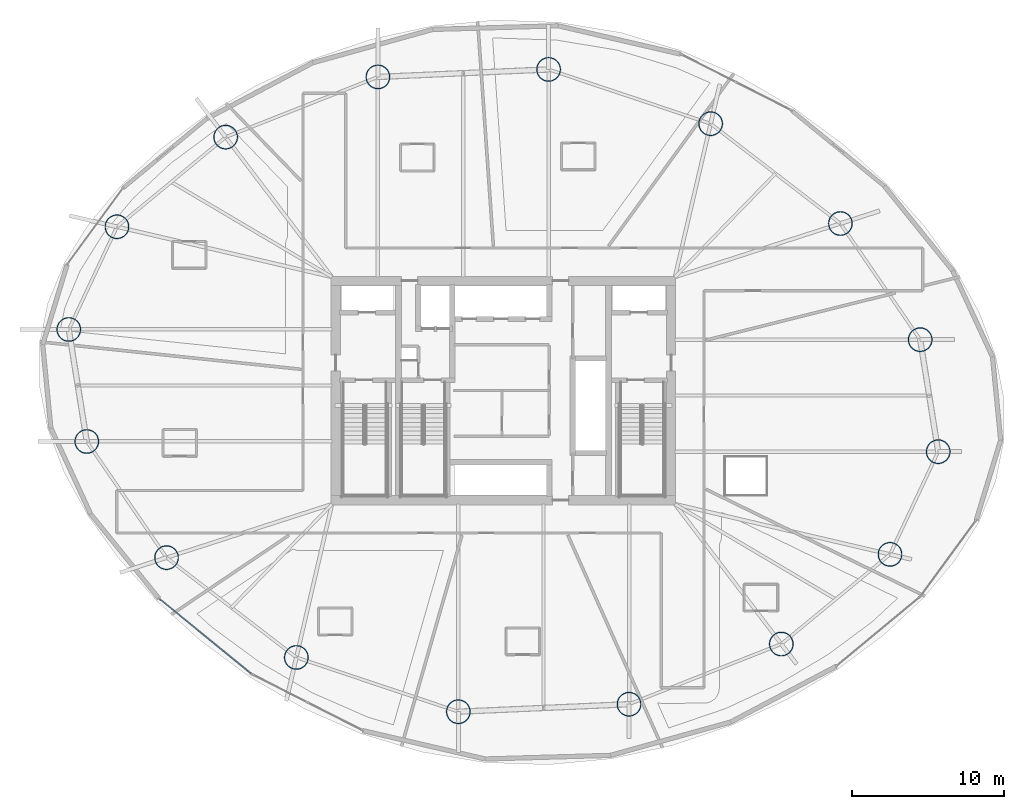
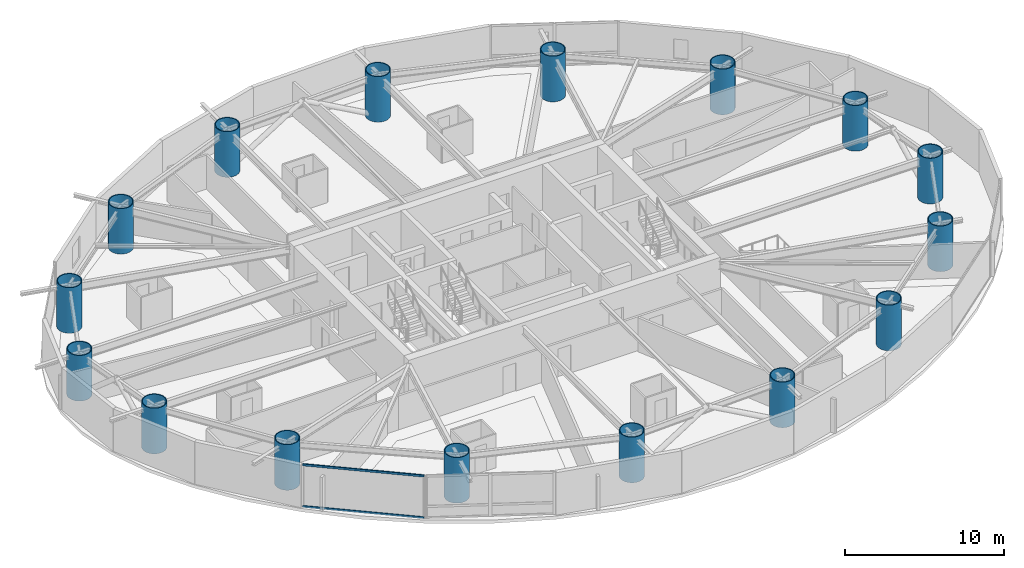
# One storey, part 1 of 20: 16 columns, 2 members, 1 element without a shape of its own.
"""IFC4 building model written with IfcOpenShell, lengths in metres."""

from ifc_helpers import new_model, si_unit, direction, frame, origin, origin_2d, place, context, subcontext, project, spatial, hollow_rectangle, hollow_circle, extrude, material, layer, layer_set, material_profile, profile_set, type_object, element, aggregate, save


model = new_model("IFC4")

# Units and contexts
model_context = context("Model", 3, precision=1e-05, world=origin(), true_north=direction((0.0, 1.0)))
body_context = subcontext(model_context, "Body", "Model", "MODEL_VIEW")
ifc_project = project(units=[si_unit("LENGTHUNIT", "METRE"), si_unit("AREAUNIT", "SQUARE_METRE"), si_unit("VOLUMEUNIT", "CUBIC_METRE"), si_unit("PLANEANGLEUNIT", "RADIAN"), si_unit("MASSUNIT", "GRAM", prefix="KILO")], contexts=[model_context])

# Site, building, storey
site_placement = place(None, origin())
site = spatial("IfcSite", under=ifc_project, at=site_placement, CompositionType="ELEMENT")
building_placement = place(site_placement, origin())
building = spatial("IfcBuilding", under=site, at=building_placement, Name="Bramvorn Convention Spire", CompositionType="ELEMENT")
storey_placement = place(building_placement, frame((0.0, 0.0, 58.89990234375)))
storey = spatial("IfcBuildingStorey", under=building, at=storey_placement, Name="L12", CompositionType="ELEMENT", Elevation=58.89990234375)

# Columns
ifc_material_1 = material(Name="Steel CSA G40.21 Grade 350 (350W)", Category="steel")
ifc_material_profile_1 = material_profile(ifc_material_1, hollow_circle(Radius=0.800048828125, WallThickness=0.06005859375, at=origin_2d()))
ifc_profile_set_1 = profile_set([ifc_material_profile_1], Name="Steel CSA G40.21 Grade 350 (350W) - CFT1600X60")
column_type = type_object("IfcColumnType", Name="COL-CFT1600X60", PredefinedType="COLUMN", material=ifc_profile_set_1)
for number, where, z_axis, x_axis, name in (
    (1, (66.519775390625, 21.99169921875, 0.0), (0.0, 0.0, 1.0), (1.0, 0.0, 0.0), "L12 composite CFT mega-column MC01"),
    (2, (65.338623046875, 29.340087890625, 0.0), (0.0, 0.0, 1.0), (1.0, 0.0, 0.0), "L12 composite CFT mega-column MC02"),
    (3, (60.105224609375, 36.960205078125, 0.0), (0.0, 0.0, 1.0), (1.0, 0.0, 0.0), "L12 composite CFT mega-column MC03"),
    (4, (51.59033203125, 43.509033203125, 0.0), (0.0, 0.0, 1.0), (1.0, 0.0, 0.0), "L12 composite CFT mega-column MC04"),
    (5, (40.9609375, 47.06884765625, 0.0), (0.0, 0.0, 1.0), (1.0, 0.0, 0.0), "L12 composite CFT mega-column MC05"),
    (6, (29.76220703125, 46.57666015625, 0.0), (0.0, 0.0, 1.0), (1.0, 0.0, 0.0), "L12 composite CFT mega-column MC06"),
    (7, (19.772216796875, 42.628662109375, 0.0), (0.0, 0.0, 1.0), (1.0, 0.0, 0.0), "L12 composite CFT mega-column MC07"),
    (8, (12.64111328125, 36.746337890625, 0.0), (0.0, 0.0, 1.0), (1.0, 0.0, 0.0), "L12 composite CFT mega-column MC08"),
    (9, (9.480224609375, 30.00830078125, 0.0), (0.0, 0.0, 1.0), (1.0, 0.0, 0.0), "L12 composite CFT mega-column MC09"),
    (10, (10.661376953125, 22.659912109375, 0.0), (0.0, 0.0, 1.0), (1.0, 0.0, 0.0), "L12 composite CFT mega-column MC10"),
    (11, (15.894775390625, 15.039794921875, 0.0), (0.0, 0.0, 1.0), (1.0, 0.0, 0.0), "L12 composite CFT mega-column MC11"),
    (12, (24.40966796875, 8.490966796875, 0.0), (0.0, 0.0, 1.0), (1.0, 0.0, 0.0), "L12 composite CFT mega-column MC12"),
    (13, (35.0390625, 4.93115234375, 0.0), (0.0, 0.0, 1.0), (1.0, 0.0, 0.0), "L12 composite CFT mega-column MC13"),
    (14, (46.23779296875, 5.42333984375, 0.0), (0.0, 0.0, 1.0), (1.0, 0.0, 0.0), "L12 composite CFT mega-column MC14"),
    (15, (56.227783203125, 9.371337890625, 0.0), (0.0, 0.0, 1.0), (1.0, 0.0, 0.0), "L12 composite CFT mega-column MC15"),
    (16, (63.35888671875, 15.253662109375, 0.0), (0.0, 0.0, 1.0), (1.0, 0.0, 0.0), "L12 composite CFT mega-column MC16"),
):
    element("IfcColumn", number, at=place(storey_placement, frame(where, z_axis=z_axis, x_axis=x_axis)), inside=storey, type_object=column_type, Name=name, PredefinedType="COLUMN", context=body_context, shape_type="SweptSolid", body=[
        extrude(hollow_circle(Radius=0.800048828125, WallThickness=0.06005859375, at=origin_2d()), origin(), (0.0, 0.0, 1.0), 3.5),
    ])

# Curtain wall, members
ifc_material_2 = material(Name="Anodised Bronze Unitised Curtain Wall", Category="aluminium")
ifc_layer = layer(ifc_material_2, 0.179931640625)
ifc_layer_set = layer_set([ifc_layer], Name="Anodised Bronze Unitised Curtain Wall - CW-HTL-FRIT")
curtain_wall_type = type_object("IfcCurtainWallType", Name="CW-HTL-FRIT", PredefinedType="USERDEFINED", material=ifc_layer_set)
curtain_wall_placement = place(storey_placement, origin())
curtain_wall = element("IfcCurtainWall", 17, at=curtain_wall_placement, inside=storey, type_object=curtain_wall_type, Name="L12 fritted glass curtain wall 16", ObjectType="UNITISED CURTAIN WALL", PredefinedType="USERDEFINED")
ifc_material_3 = material(Name="Anodised Bronze Aluminium 6063-T6", Category="aluminium")
ifc_material_profile_2 = material_profile(ifc_material_3, hollow_rectangle(XDim=0.080078125, YDim=0.159912109375, WallThickness=0.00390625, InnerFilletRadius=0.0009765625, OuterFilletRadius=0.00390625, at=origin_2d()))
ifc_profile_set_2 = profile_set([ifc_material_profile_2], Name="Anodised Bronze Aluminium 6063-T6 - CWT80X160")
member_type = type_object("IfcMemberType", Name="CW-TRN-150", PredefinedType="USERDEFINED", material=ifc_profile_set_2)
member_1_placement = place(storey_placement, frame((21.43359375, 7.4296875, 0.030029296875), z_axis=(-0.774745239448, 0.632273527796, 0.0), x_axis=(-0.632273527796, -0.774745239448, 0.0)))
member_1 = element("IfcMember", 18, at=member_1_placement, type_object=member_type, Name="CW2 transom 1.1", ObjectType="TRANSOM", PredefinedType="USERDEFINED", context=body_context, shape_type="SweptSolid", body=[
    extrude(hollow_rectangle(XDim=0.080078125, YDim=0.159912109375, WallThickness=0.00390625, InnerFilletRadius=0.0009765625, OuterFilletRadius=0.00390625, at=origin_2d()), origin(), (0.0, 0.0, 1.0), 7.724853515625),
])
member_2_placement = place(storey_placement, frame((21.43359375, 7.4296875, 3.22021484375), z_axis=(-0.774745239448, 0.632273527796, 0.0), x_axis=(-0.632273527796, -0.774745239448, 0.0)))
member_2 = element("IfcMember", 19, at=member_2_placement, type_object=member_type, Name="CW2 transom 1.2", ObjectType="TRANSOM", PredefinedType="USERDEFINED", context=body_context, shape_type="SweptSolid", body=[
    extrude(hollow_rectangle(XDim=0.080078125, YDim=0.159912109375, WallThickness=0.00390625, InnerFilletRadius=0.0009765625, OuterFilletRadius=0.00390625, at=origin_2d()), origin(), (0.0, 0.0, 1.0), 7.724853515625),
])
aggregate(curtain_wall, [member_1, member_2])

save(model, "model.ifc")
